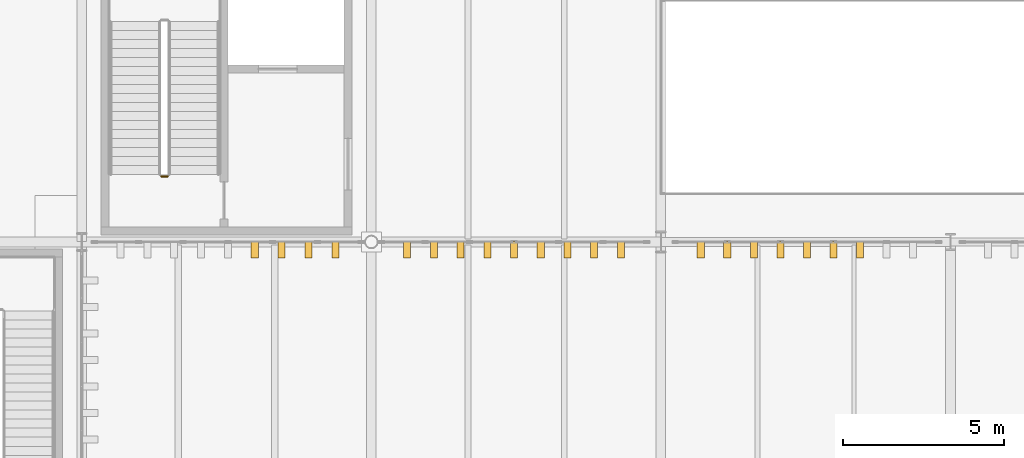
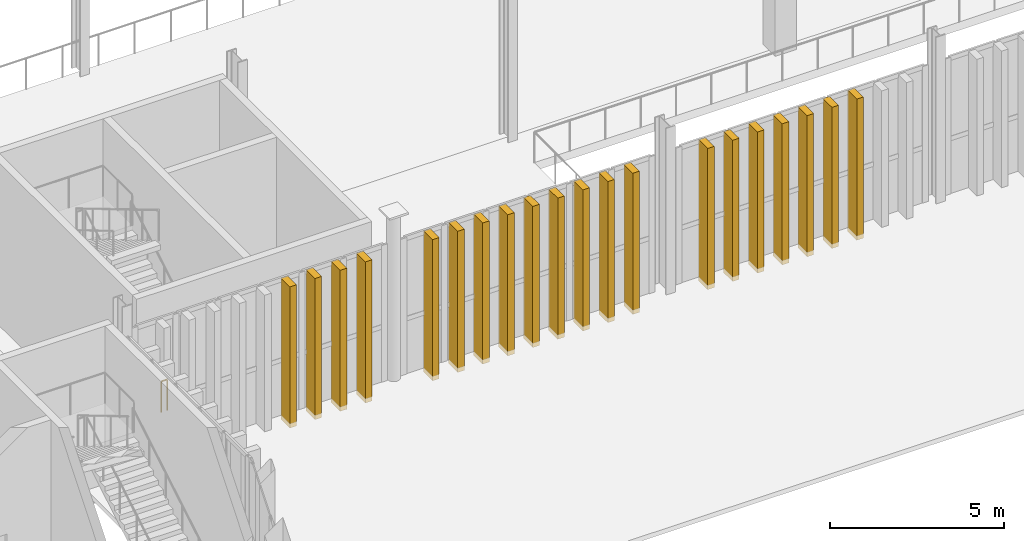
# One storey, part 192 of 211: 20 shading devices, 1 railing.
"""IFC4 building model written with IfcOpenShell, lengths in metres."""

from ifc_helpers import new_model, si_unit, direction, frame, origin, origin_2d, place, context, subcontext, project, spatial, rectangle, circle, extrude, material, type_object, element, save


model = new_model("IFC4")

# Units and contexts
model_context = context("Model", 3, precision=1e-05, world=origin(), true_north=direction((0.0, 1.0)))
body_context = subcontext(model_context, "Body", "Model", "MODEL_VIEW")
ifc_project = project(units=[si_unit("LENGTHUNIT", "METRE"), si_unit("AREAUNIT", "SQUARE_METRE"), si_unit("VOLUMEUNIT", "CUBIC_METRE"), si_unit("PLANEANGLEUNIT", "RADIAN"), si_unit("MASSUNIT", "GRAM", prefix="KILO")], contexts=[model_context])

# Site, building, storey
site_placement = place(None, origin())
site = spatial("IfcSite", under=ifc_project, at=site_placement, CompositionType="ELEMENT")
building_placement = place(site_placement, origin())
building = spatial("IfcBuilding", under=site, at=building_placement, Name="Barlavento Convention Centre", CompositionType="ELEMENT")
storey_placement = place(building_placement, frame((0.0, 0.0, 6.0)))
storey = spatial("IfcBuildingStorey", under=building, at=storey_placement, Name="L01", CompositionType="ELEMENT", Elevation=6.0)

# Railing
ifc_material_1 = material(Name="Stainless steel and laminated glass balustrade", Category="steel")
railing_type = type_object("IfcRailingType", Name="ARC-RAL-BAL-1100", PredefinedType="BALUSTRADE", material=ifc_material_1)
railing_placement = place(storey_placement, frame((65.669921875, 47.0400390625, 0.0)))
element("IfcRailing", 1, at=railing_placement, inside=storey, type_object=railing_type, Name="L01 ST03 stair guard 4", PredefinedType="BALUSTRADE", context=body_context, shape_type="SweptSolid", body=[
    extrude(circle(Radius=0.02392578125, at=origin_2d()), frame((0.0, 0.0, 1.076171875), z_axis=(-1.0, 0.0, 0.0), x_axis=(0.0, -1.0, 0.0)), (0.0, 0.0, 1.0), 0.199951171875),
    extrude(circle(Radius=0.02099609375, at=origin_2d()), origin(), (0.0, 0.0, 1.0), 1.052001953125),
    extrude(circle(Radius=0.02099609375, at=origin_2d()), frame((-0.199951171875, 0.0, 0.0)), (0.0, 0.0, 1.0), 1.052001953125),
])

# Shading devices
ifc_material_2 = material(Name="PVDF white extruded aluminium", Category="aluminium")
shading_device_type = type_object("IfcShadingDeviceType", Name="ARC-SHD-FIN-480", PredefinedType="USERDEFINED", material=ifc_material_2)
for number, where, z_axis, x_axis, name in (
    (2, (68.37646484375, 44.760009765625, 0.0), (0.0, 0.0, 1.0), (1.0, 0.0, 0.0), "White vertical solar shading fin VF01"),
    (3, (69.211669921875, 44.760009765625, 0.0), (0.0, 0.0, 1.0), (1.0, 0.0, 0.0), "White vertical solar shading fin VF01"),
    (4, (70.046630859375, 44.760009765625, 0.0), (0.0, 0.0, 1.0), (1.0, 0.0, 0.0), "White vertical solar shading fin VF01"),
    (5, (70.881591796875, 44.760009765625, 0.0), (0.0, 0.0, 1.0), (1.0, 0.0, 0.0), "White vertical solar shading fin VF01"),
    (6, (73.113525390625, 44.760009765625, 0.0), (0.0, 0.0, 1.0), (1.0, 0.0, 0.0), "White vertical solar shading fin VF01"),
    (7, (73.94384765625, 44.760009765625, 0.0), (0.0, 0.0, 1.0), (1.0, 0.0, 0.0), "White vertical solar shading fin VF01"),
    (8, (74.77392578125, 44.760009765625, 0.0), (0.0, 0.0, 1.0), (1.0, 0.0, 0.0), "White vertical solar shading fin VF01"),
    (9, (75.604248046875, 44.760009765625, 0.0), (0.0, 0.0, 1.0), (1.0, 0.0, 0.0), "White vertical solar shading fin VF01"),
    (10, (76.4345703125, 44.760009765625, 0.0), (0.0, 0.0, 1.0), (1.0, 0.0, 0.0), "White vertical solar shading fin VF01"),
    (11, (77.264892578125, 44.760009765625, 0.0), (0.0, 0.0, 1.0), (1.0, 0.0, 0.0), "White vertical solar shading fin VF01"),
    (12, (78.09521484375, 44.760009765625, 0.0), (0.0, 0.0, 1.0), (1.0, 0.0, 0.0), "White vertical solar shading fin VF01"),
    (13, (78.92529296875, 44.760009765625, 0.0), (0.0, 0.0, 1.0), (1.0, 0.0, 0.0), "White vertical solar shading fin VF01"),
    (14, (79.755615234375, 44.760009765625, 0.0), (0.0, 0.0, 1.0), (1.0, 0.0, 0.0), "White vertical solar shading fin VF01"),
    (15, (82.23828125, 44.760009765625, 0.0), (0.0, 0.0, 1.0), (1.0, 0.0, 0.0), "White vertical solar shading fin VF01"),
    (16, (83.062744140625, 44.760009765625, 0.0), (0.0, 0.0, 1.0), (1.0, 0.0, 0.0), "White vertical solar shading fin VF01"),
    (17, (83.88720703125, 44.760009765625, 0.0), (0.0, 0.0, 1.0), (1.0, 0.0, 0.0), "White vertical solar shading fin VF01"),
    (18, (84.711669921875, 44.760009765625, 0.0), (0.0, 0.0, 1.0), (1.0, 0.0, 0.0), "White vertical solar shading fin VF01"),
    (19, (85.535888671875, 44.760009765625, 0.0), (0.0, 0.0, 1.0), (1.0, 0.0, 0.0), "White vertical solar shading fin VF01"),
    (20, (86.3603515625, 44.760009765625, 0.0), (0.0, 0.0, 1.0), (1.0, 0.0, 0.0), "White vertical solar shading fin VF01"),
    (21, (87.184814453125, 44.760009765625, 0.0), (0.0, 0.0, 1.0), (1.0, 0.0, 0.0), "White vertical solar shading fin VF01"),
):
    element("IfcShadingDevice", number, at=place(storey_placement, frame(where, z_axis=z_axis, x_axis=x_axis)), inside=storey, type_object=shading_device_type, Name=name, ObjectType="FIN", PredefinedType="USERDEFINED", context=body_context, shape_type="SweptSolid", body=[
        extrude(rectangle(XDim=0.219970703125, YDim=0.52001953125, at=origin_2d()), origin(), (0.0, 0.0, 1.0), 4.949951171875),
    ])

save(model, "model.ifc")
